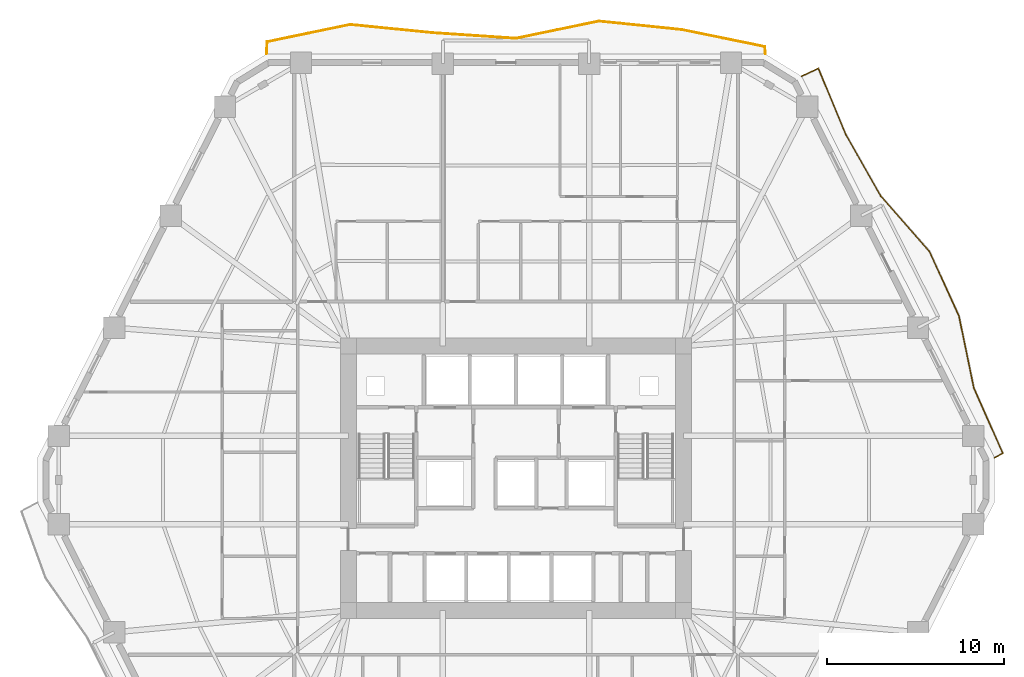
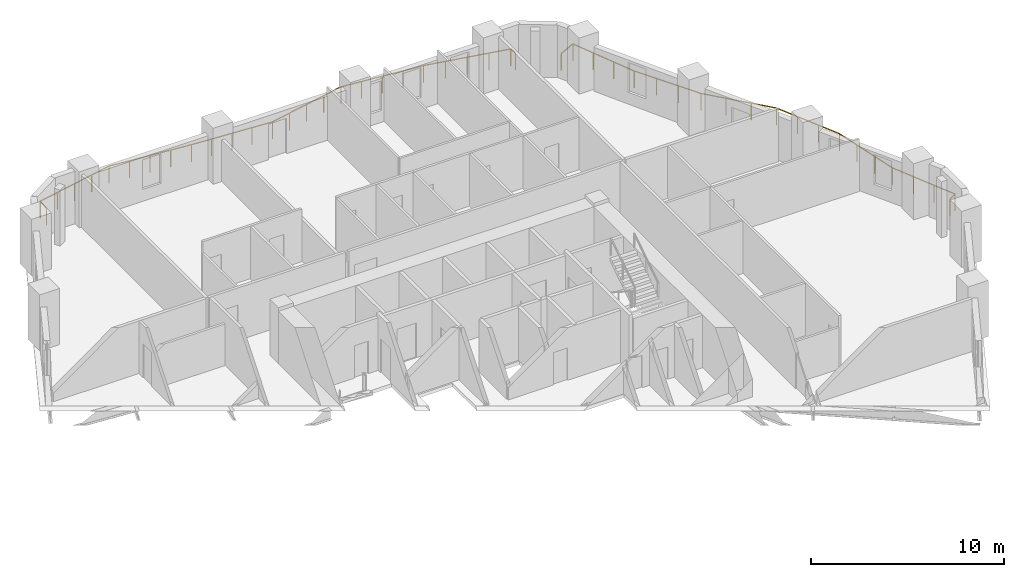
# One storey, part 11 of 11: 2 railings.
"""IFC4 building model written with IfcOpenShell, lengths in metres."""

import ifcopenshell
import ifcopenshell.guid

model = None  # the IFC model being written
_history = None  # IfcOwnerHistory: only IFC2X3 demands one
_inside = {}  # id of a spatial element -> (the spatial element, [elements in it])
_under = {}  # id of a project, library or spatial element -> (it, [spatial elements below it])
_declared = {}  # id of a project -> (the project, [libraries it declares])
_typed = {}  # id of a type object -> (the type object, [elements of that type])
_made_of = {}  # id of a material, layer set ... -> (it, [elements and type objects made of it])


def new_model(schema):
    """Start an empty IFC model of exactly this schema.

    Asked for "IFC4X3", IfcOpenShell would pick the latest addendum, in which some entities
    have other attributes; the version numbers below select the first issue.
    IFC2X3 requires an IfcOwnerHistory on every rooted entity: one is made here for all.
    """
    global model, _history
    if schema == "IFC4X3":
        model = ifcopenshell.file(schema_version=(4, 3, 0, 0))
    else:
        model = ifcopenshell.file(schema=schema)
    _inside.clear()
    _under.clear()
    _declared.clear()
    _typed.clear()
    _made_of.clear()
    _history = None
    if model.schema == "IFC2X3":
        org = make("IfcOrganization", Name="unknown")
        user = make(
            "IfcPersonAndOrganization",
            ThePerson=make("IfcPerson", FamilyName="unknown"),
            TheOrganization=org,
        )
        app = make(
            "IfcApplication",
            ApplicationDeveloper=org,
            Version="unknown",
            ApplicationFullName="unknown",
            ApplicationIdentifier="unknown",
        )
        _history = make(
            "IfcOwnerHistory",
            OwningUser=user,
            OwningApplication=app,
            ChangeAction="ADDED",
            CreationDate=0,
        )
    return model


def make(cls, **values):
    """One entity of the class cls with the attributes given. An attribute that is None is left unset."""
    return model.create_entity(
        cls, **{name: value for name, value in values.items() if value is not None}
    )


def rooted(cls, **values):
    """An entity with a GlobalId (a new one), such as an element, a storey or a relation."""
    return make(cls, GlobalId=ifcopenshell.guid.new(), OwnerHistory=_history, **values)


def si_unit(unit_type, name, prefix=None):
    """IfcSIUnit, for example si_unit("LENGTHUNIT", "METRE", prefix="MILLI")."""
    return make("IfcSIUnit", UnitType=unit_type, Prefix=prefix, Name=name)


def assignment(units):
    """IfcUnitAssignment: the units of a project."""
    return None if units is None else make("IfcUnitAssignment", Units=units)


def point(xyz):
    """IfcCartesianPoint."""
    return None if xyz is None else make("IfcCartesianPoint", Coordinates=xyz)


def direction(xyz):
    """IfcDirection."""
    return None if xyz is None else make("IfcDirection", DirectionRatios=xyz)


def frame(location, z_axis=None, x_axis=None):
    """IfcAxis2Placement3D, a coordinate frame: its origin and axes. An axis left out is left unset."""
    return make(
        "IfcAxis2Placement3D",
        Location=point(location),
        Axis=direction(z_axis),
        RefDirection=direction(x_axis),
    )


def frame_2d(location, x_axis=None):
    """IfcAxis2Placement2D, a coordinate frame in the plane: its origin and x axis."""
    return make(
        "IfcAxis2Placement2D", Location=point(location), RefDirection=direction(x_axis)
    )


def origin():
    """The frame at (0, 0, 0) with its axes left unset."""
    return frame((0.0, 0.0, 0.0))


def origin_2d():
    """The frame at (0, 0) in the plane with its x axis left unset."""
    return frame_2d((0.0, 0.0))


def place(relative_to, where):
    """IfcLocalPlacement: puts the frame where relative to a parent placement (None: the world)."""
    return make(
        "IfcLocalPlacement", PlacementRelTo=relative_to, RelativePlacement=where
    )


def context(
    kind, dimensions, precision=None, world=None, true_north=None, identifier=None
):
    """IfcGeometricRepresentationContext, for example the 3D "Model" context."""
    return make(
        "IfcGeometricRepresentationContext",
        ContextIdentifier=identifier,
        ContextType=kind,
        CoordinateSpaceDimension=dimensions,
        Precision=precision,
        WorldCoordinateSystem=world,
        TrueNorth=true_north,
    )


def subcontext(parent, identifier, kind, view, scale=None):
    """IfcGeometricRepresentationSubContext, for example "Body" below "Model"."""
    return make(
        "IfcGeometricRepresentationSubContext",
        ContextIdentifier=identifier,
        ContextType=kind,
        ParentContext=parent,
        TargetScale=scale,
        TargetView=view,
    )


def project(units=None, contexts=None):
    """IfcProject with its units and contexts."""
    return rooted(
        "IfcProject",
        Name="project",
        RepresentationContexts=contexts,
        UnitsInContext=assignment(units),
    )


def spatial(cls, under=None, at=None, **own):
    """A site, building, storey or space (cls), placed at a placement, below another one or the project."""
    s = rooted(cls, ObjectPlacement=at, **own)
    if under is not None:
        _under.setdefault(under.id(), (under, []))[1].append(s)
    return s


def profile(cls, at=None, kind="AREA", **sizes):
    """A parametric profile (cls). Its sizes go by their IFC names, for example OverallWidth=200.0."""
    return make(cls, ProfileType=kind, Position=at, **sizes)


def rectangle(**sizes):
    """IfcRectangleProfileDef."""
    return profile("IfcRectangleProfileDef", **sizes)


def extrude(swept, where, along, depth):
    """IfcExtrudedAreaSolid: the profile swept, set in the frame where, extruded along a direction by depth."""
    return make(
        "IfcExtrudedAreaSolid",
        SweptArea=swept,
        Position=where,
        ExtrudedDirection=direction(along),
        Depth=depth,
    )


def shape(context_of_items, identifier, shape_type, items):
    """IfcShapeRepresentation: the items that make up one representation, for example the "Body"."""
    return make(
        "IfcShapeRepresentation",
        ContextOfItems=context_of_items,
        RepresentationIdentifier=identifier,
        RepresentationType=shape_type,
        Items=items,
    )


def material(Name=None, Category=None):
    """IfcMaterial."""
    return make("IfcMaterial", Name=Name, Category=Category)


def made_of(thing, what):
    """Note that an element or type object is made of a material, layer set ...; save() writes the relation."""
    if what is not None:
        _made_of.setdefault(what.id(), (what, []))[1].append(thing)
    return thing


def type_object(cls, material=None, **own):
    """A type object (cls), such as IfcWallType, which elements share."""
    return made_of(rooted(cls, **own), material)


def element(
    cls,
    number,
    at=None,
    inside=None,
    cuts=None,
    type_object=None,
    material=None,
    context=None,
    identifier="Body",
    shape_type=None,
    held_by="IfcProductDefinitionShape",
    body=None,
    shapes=None,
    **own,
):
    """One element of the class cls, such as IfcWall. Its Tag is "e" and its number.

    at: its placement. inside: the storey or other place that contains it. cuts: it is an
    opening in that element (IfcRelVoidsElement). A single representation is given by context,
    identifier, shape_type and body (its items); several are given by shapes. held_by: the class
    of the entity that holds the representations. save() writes the other relations.
    """
    e = rooted(cls, Tag="e%d" % number, ObjectPlacement=at, **own)
    if body is not None:
        shapes = [shape(context, identifier, shape_type, body)]
    if shapes is not None:
        e.Representation = make(held_by, Representations=shapes)
    if inside is not None:
        _inside.setdefault(inside.id(), (inside, []))[1].append(e)
    if cuts is not None:
        rooted(
            "IfcRelVoidsElement", RelatingBuildingElement=cuts, RelatedOpeningElement=e
        )
    if type_object is not None:
        _typed.setdefault(type_object.id(), (type_object, []))[1].append(e)
    return made_of(e, material)


def aggregate(whole, parts):
    """IfcRelAggregates: a whole, such as a stair, and the parts it consists of."""
    return rooted("IfcRelAggregates", RelatingObject=whole, RelatedObjects=parts)


def save(model, path):
    """Write the relations noted so far, then the file.

    IfcRelAggregates (storeys below a building ...), IfcRelContainedInSpatialStructure (elements
    in a storey), IfcRelDefinesByType, IfcRelAssociatesMaterial and IfcRelDeclares: one each for
    every whole, place, type object, material and project.
    """
    for whole, parts in _under.values():
        aggregate(whole, parts)
    for where, things in _inside.values():
        rooted(
            "IfcRelContainedInSpatialStructure",
            RelatedElements=things,
            RelatingStructure=where,
        )
    for kind, things in _typed.values():
        rooted("IfcRelDefinesByType", RelatedObjects=things, RelatingType=kind)
    for what, things in _made_of.values():
        rooted("IfcRelAssociatesMaterial", RelatedObjects=things, RelatingMaterial=what)
    for by, libraries in _declared.values():
        rooted("IfcRelDeclares", RelatingContext=by, RelatedDefinitions=libraries)
    model.write(path)


model = new_model("IFC4")

# Units and contexts
model_context = context("Model", 3, precision=1e-05, world=origin(), true_north=direction((0.0, 1.0)))
body_context = subcontext(model_context, "Body", "Model", "MODEL_VIEW")
ifc_project = project(units=[si_unit("LENGTHUNIT", "METRE"), si_unit("AREAUNIT", "SQUARE_METRE"), si_unit("VOLUMEUNIT", "CUBIC_METRE"), si_unit("PLANEANGLEUNIT", "RADIAN"), si_unit("MASSUNIT", "GRAM", prefix="KILO")], contexts=[model_context])

# Site, building, storey
site_placement = place(None, origin())
site = spatial("IfcSite", under=ifc_project, at=site_placement, CompositionType="ELEMENT")
building_placement = place(site_placement, origin())
building = spatial("IfcBuilding", under=site, at=building_placement, Name="Cinnabar Lancet Tower", CompositionType="ELEMENT")
storey_placement = place(building_placement, frame((0.0, 0.0, 46.199951171875)))
storey = spatial("IfcBuildingStorey", under=building, at=storey_placement, Name="L11", CompositionType="ELEMENT", Elevation=46.199951171875)

# Railings
ifc_material = material(Name="Laminated safety glass and bronze stainless steel balustrade", Category="steel")
railing_type = type_object("IfcRailingType", Name="ENV-RLG-BAL-1100", PredefinedType="BALUSTRADE", material=ifc_material)
railing_1_placement = place(storey_placement, frame((59.367919921875, 27.049072265625, 0.0)))
element("IfcRailing", 1, at=railing_1_placement, inside=storey, type_object=railing_type, Name="L11 Face 3 Wave Balcony Balustrade", PredefinedType="BALUSTRADE", context=body_context, shape_type="SweptSolid", body=[
    extrude(rectangle(XDim=0.048095703125, YDim=0.048095703125, at=origin_2d()), frame((0.0, 0.0, 1.076171875), z_axis=(0.866906303058, 0.498471124258, 0.0), x_axis=(-0.498471124258, 0.866906303058, 0.0)), (0.0, 0.0, 1.0), 0.529541015625),
    extrude(rectangle(XDim=0.048095703125, YDim=0.048095703125, at=origin_2d()), frame((0.458984375, 0.263916015625, 1.076171875), z_axis=(-0.406048117384, 0.913851698236, 0.0), x_axis=(-0.913851698236, -0.406048117384, 0.0)), (0.0, 0.0, 1.0), 4.01171875),
    extrude(rectangle(XDim=0.048095703125, YDim=0.048095703125, at=origin_2d()), frame((-1.169921875, 3.929931640625, 1.076171875), z_axis=(-0.202662016744, 0.979248746218, 0.0), x_axis=(-0.979248746218, -0.202662016744, 0.0)), (0.0, 0.0, 1.0), 4.150146484375),
    extrude(rectangle(XDim=0.048095703125, YDim=0.048095703125, at=origin_2d()), frame((-2.010986328125, 7.993896484375, 1.076171875), z_axis=(-0.416105175735, 0.909316492057, 0.0), x_axis=(-0.909316492057, -0.416105175735, 0.0)), (0.0, 0.0, 1.0), 4.008544921875),
    extrude(rectangle(XDim=0.048095703125, YDim=0.048095703125, at=origin_2d()), frame((-3.678955078125, 11.638916015625, 1.076171875), z_axis=(-0.661248825036, 0.750166642412, 0.0), x_axis=(-0.750166642412, -0.661248825036, 0.0)), (0.0, 0.0, 1.0), 4.1376953125),
    extrude(rectangle(XDim=0.048095703125, YDim=0.048095703125, at=origin_2d()), frame((-6.4150390625, 14.742919921875, 1.076171875), z_axis=(-0.493324296403, 0.869845468217, 0.0), x_axis=(-0.869845468217, -0.493324296403, 0.0)), (0.0, 0.0, 1.0), 4.010986328125),
    extrude(rectangle(XDim=0.048095703125, YDim=0.048095703125, at=origin_2d()), frame((-8.393798828125, 18.23193359375, 1.076171875), z_axis=(-0.382108615759, 0.9241174199, 0.0), x_axis=(-0.9241174199, -0.382108615759, 0.0)), (0.0, 0.0, 1.0), 4.020263671875),
    extrude(rectangle(XDim=0.048095703125, YDim=0.048095703125, at=origin_2d()), frame((-9.929931640625, 21.947021484375, 1.076171875), z_axis=(-0.905539973217, -0.424260953784, 0.0), x_axis=(0.424260953784, -0.905539973217, 0.0)), (0.0, 0.0, 1.0), 1.049072265625),
    extrude(rectangle(XDim=0.0419921875, YDim=0.0419921875, at=origin_2d()), origin(), (0.0, 0.0, 1.0), 1.052001953125),
    extrude(rectangle(XDim=0.0419921875, YDim=0.0419921875, at=origin_2d()), frame((0.458984375, 0.263916015625, 0.0)), (0.0, 0.0, 1.0), 1.052001953125),
    extrude(rectangle(XDim=0.0419921875, YDim=0.0419921875, at=origin_2d()), frame((-0.083984375, 1.48583984375, 0.0)), (0.0, 0.0, 1.0), 1.052001953125),
    extrude(rectangle(XDim=0.0419921875, YDim=0.0419921875, at=origin_2d()), frame((-0.626953125, 2.7080078125, 0.0)), (0.0, 0.0, 1.0), 1.052001953125),
    extrude(rectangle(XDim=0.0419921875, YDim=0.0419921875, at=origin_2d()), frame((-1.169921875, 3.929931640625, 0.0)), (0.0, 0.0, 1.0), 1.052001953125),
    extrude(rectangle(XDim=0.0419921875, YDim=0.0419921875, at=origin_2d()), frame((-1.4501953125, 5.28466796875, 0.0)), (0.0, 0.0, 1.0), 1.052001953125),
    extrude(rectangle(XDim=0.0419921875, YDim=0.0419921875, at=origin_2d()), frame((-1.730712890625, 6.63916015625, 0.0)), (0.0, 0.0, 1.0), 1.052001953125),
    extrude(rectangle(XDim=0.0419921875, YDim=0.0419921875, at=origin_2d()), frame((-2.010986328125, 7.993896484375, 0.0)), (0.0, 0.0, 1.0), 1.052001953125),
    extrude(rectangle(XDim=0.0419921875, YDim=0.0419921875, at=origin_2d()), frame((-2.56689453125, 9.208984375, 0.0)), (0.0, 0.0, 1.0), 1.052001953125),
    extrude(rectangle(XDim=0.0419921875, YDim=0.0419921875, at=origin_2d()), frame((-3.123046875, 10.423828125, 0.0)), (0.0, 0.0, 1.0), 1.052001953125),
    extrude(rectangle(XDim=0.0419921875, YDim=0.0419921875, at=origin_2d()), frame((-3.678955078125, 11.638916015625, 0.0)), (0.0, 0.0, 1.0), 1.052001953125),
    extrude(rectangle(XDim=0.0419921875, YDim=0.0419921875, at=origin_2d()), frame((-4.591064453125, 12.673583984375, 0.0)), (0.0, 0.0, 1.0), 1.052001953125),
    extrude(rectangle(XDim=0.0419921875, YDim=0.0419921875, at=origin_2d()), frame((-5.5029296875, 13.708251953125, 0.0)), (0.0, 0.0, 1.0), 1.052001953125),
    extrude(rectangle(XDim=0.0419921875, YDim=0.0419921875, at=origin_2d()), frame((-6.4150390625, 14.742919921875, 0.0)), (0.0, 0.0, 1.0), 1.052001953125),
    extrude(rectangle(XDim=0.0419921875, YDim=0.0419921875, at=origin_2d()), frame((-7.07470703125, 15.906005859375, 0.0)), (0.0, 0.0, 1.0), 1.052001953125),
    extrude(rectangle(XDim=0.0419921875, YDim=0.0419921875, at=origin_2d()), frame((-7.734130859375, 17.06884765625, 0.0)), (0.0, 0.0, 1.0), 1.052001953125),
    extrude(rectangle(XDim=0.0419921875, YDim=0.0419921875, at=origin_2d()), frame((-8.393798828125, 18.23193359375, 0.0)), (0.0, 0.0, 1.0), 1.052001953125),
    extrude(rectangle(XDim=0.0419921875, YDim=0.0419921875, at=origin_2d()), frame((-8.90576171875, 19.47021484375, 0.0)), (0.0, 0.0, 1.0), 1.052001953125),
    extrude(rectangle(XDim=0.0419921875, YDim=0.0419921875, at=origin_2d()), frame((-9.41796875, 20.708740234375, 0.0)), (0.0, 0.0, 1.0), 1.052001953125),
    extrude(rectangle(XDim=0.0419921875, YDim=0.0419921875, at=origin_2d()), frame((-9.929931640625, 21.947021484375, 0.0)), (0.0, 0.0, 1.0), 1.052001953125),
    extrude(rectangle(XDim=0.0419921875, YDim=0.0419921875, at=origin_2d()), frame((-10.8798828125, 21.501953125, 0.0)), (0.0, 0.0, 1.0), 1.052001953125),
])
railing_2_placement = place(storey_placement, frame((46.4560546875, 49.800048828125, 0.0)))
element("IfcRailing", 2, at=railing_2_placement, inside=storey, type_object=railing_type, Name="L11 Face 4 Wave Balcony Balustrade", PredefinedType="BALUSTRADE", context=body_context, shape_type="SweptSolid", body=[
    extrude(rectangle(XDim=0.048095703125, YDim=0.048095703125, at=origin_2d()), frame((0.0, 0.0, 1.076171875), z_axis=(-0.084403621926, 0.996431647734, 0.0), x_axis=(-0.996431647734, -0.084403621926, 0.0)), (0.0, 0.0, 1.0), 0.41650390625),
    extrude(rectangle(XDim=0.048095703125, YDim=0.048095703125, at=origin_2d()), frame((-0.03515625, 0.4150390625, 1.076171875), z_axis=(-0.979672895898, 0.200601637689, 0.0), x_axis=(-0.200601637689, -0.979672895898, 0.0)), (0.0, 0.0, 1.0), 4.770751953125),
    extrude(rectangle(XDim=0.048095703125, YDim=0.048095703125, at=origin_2d()), frame((-4.708984375, 1.3720703125, 1.076171875), z_axis=(-0.994768719862, 0.102152797245, 0.0), x_axis=(-0.102152797245, -0.994768719862, 0.0)), (0.0, 0.0, 1.0), 4.69873046875),
    extrude(rectangle(XDim=0.048095703125, YDim=0.048095703125, at=origin_2d()), frame((-9.383056640625, 1.85205078125, 1.076171875), z_axis=(-0.979171079114, -0.203036937099, 0.0), x_axis=(0.203036937099, -0.979171079114, 0.0)), (0.0, 0.0, 1.0), 4.7724609375),
    extrude(rectangle(XDim=0.048095703125, YDim=0.048095703125, at=origin_2d()), frame((-14.05615234375, 0.883056640625, 1.076171875), z_axis=(-0.997777306642, 0.066636674221, 0.0), x_axis=(-0.066636674221, -0.997777306642, 0.0)), (0.0, 0.0, 1.0), 4.682373046875),
    extrude(rectangle(XDim=0.048095703125, YDim=0.048095703125, at=origin_2d()), frame((-18.72802734375, 1.195068359375, 1.076171875), z_axis=(-0.99509311407, 0.098942884181, 0.0), x_axis=(-0.098942884181, -0.99509311407, 0.0)), (0.0, 0.0, 1.0), 4.697998046875),
    extrude(rectangle(XDim=0.048095703125, YDim=0.048095703125, at=origin_2d()), frame((-23.403076171875, 1.659912109375, 1.076171875), z_axis=(-0.979138829318, -0.203192403702, 0.0), x_axis=(0.203192403702, -0.979138829318, 0.0)), (0.0, 0.0, 1.0), 4.773681640625),
    extrude(rectangle(XDim=0.048095703125, YDim=0.048095703125, at=origin_2d()), frame((-28.0771484375, 0.68994140625, 1.076171875), z_axis=(-0.050536898027, -0.998722194576, 0.0), x_axis=(0.998722194576, -0.050536898027, 0.0)), (0.0, 0.0, 1.0), 0.69091796875),
    extrude(rectangle(XDim=0.0419921875, YDim=0.0419921875, at=origin_2d()), origin(), (0.0, 0.0, 1.0), 1.052001953125),
    extrude(rectangle(XDim=0.0419921875, YDim=0.0419921875, at=origin_2d()), frame((-0.03515625, 0.4150390625, 0.0)), (0.0, 0.0, 1.0), 1.052001953125),
    extrude(rectangle(XDim=0.0419921875, YDim=0.0419921875, at=origin_2d()), frame((-1.20361328125, 0.654296875, 0.0)), (0.0, 0.0, 1.0), 1.052001953125),
    extrude(rectangle(XDim=0.0419921875, YDim=0.0419921875, at=origin_2d()), frame((-2.3720703125, 0.8935546875, 0.0)), (0.0, 0.0, 1.0), 1.052001953125),
    extrude(rectangle(XDim=0.0419921875, YDim=0.0419921875, at=origin_2d()), frame((-3.54052734375, 1.1328125, 0.0)), (0.0, 0.0, 1.0), 1.052001953125),
    extrude(rectangle(XDim=0.0419921875, YDim=0.0419921875, at=origin_2d()), frame((-4.708984375, 1.3720703125, 0.0)), (0.0, 0.0, 1.0), 1.052001953125),
    extrude(rectangle(XDim=0.0419921875, YDim=0.0419921875, at=origin_2d()), frame((-5.87744140625, 1.4921875, 0.0)), (0.0, 0.0, 1.0), 1.052001953125),
    extrude(rectangle(XDim=0.0419921875, YDim=0.0419921875, at=origin_2d()), frame((-7.0458984375, 1.612060546875, 0.0)), (0.0, 0.0, 1.0), 1.052001953125),
    extrude(rectangle(XDim=0.0419921875, YDim=0.0419921875, at=origin_2d()), frame((-8.214599609375, 1.73193359375, 0.0)), (0.0, 0.0, 1.0), 1.052001953125),
    extrude(rectangle(XDim=0.0419921875, YDim=0.0419921875, at=origin_2d()), frame((-9.383056640625, 1.85205078125, 0.0)), (0.0, 0.0, 1.0), 1.052001953125),
    extrude(rectangle(XDim=0.0419921875, YDim=0.0419921875, at=origin_2d()), frame((-10.55126953125, 1.60986328125, 0.0)), (0.0, 0.0, 1.0), 1.052001953125),
    extrude(rectangle(XDim=0.0419921875, YDim=0.0419921875, at=origin_2d()), frame((-11.7197265625, 1.36767578125, 0.0)), (0.0, 0.0, 1.0), 1.052001953125),
    extrude(rectangle(XDim=0.0419921875, YDim=0.0419921875, at=origin_2d()), frame((-12.887939453125, 1.125244140625, 0.0)), (0.0, 0.0, 1.0), 1.052001953125),
    extrude(rectangle(XDim=0.0419921875, YDim=0.0419921875, at=origin_2d()), frame((-14.05615234375, 0.883056640625, 0.0)), (0.0, 0.0, 1.0), 1.052001953125),
    extrude(rectangle(XDim=0.0419921875, YDim=0.0419921875, at=origin_2d()), frame((-15.22412109375, 0.9609375, 0.0)), (0.0, 0.0, 1.0), 1.052001953125),
    extrude(rectangle(XDim=0.0419921875, YDim=0.0419921875, at=origin_2d()), frame((-16.39208984375, 1.0390625, 0.0)), (0.0, 0.0, 1.0), 1.052001953125),
    extrude(rectangle(XDim=0.0419921875, YDim=0.0419921875, at=origin_2d()), frame((-17.56005859375, 1.1171875, 0.0)), (0.0, 0.0, 1.0), 1.052001953125),
    extrude(rectangle(XDim=0.0419921875, YDim=0.0419921875, at=origin_2d()), frame((-18.72802734375, 1.195068359375, 0.0)), (0.0, 0.0, 1.0), 1.052001953125),
    extrude(rectangle(XDim=0.0419921875, YDim=0.0419921875, at=origin_2d()), frame((-19.896728515625, 1.311279296875, 0.0)), (0.0, 0.0, 1.0), 1.052001953125),
    extrude(rectangle(XDim=0.0419921875, YDim=0.0419921875, at=origin_2d()), frame((-21.0654296875, 1.427490234375, 0.0)), (0.0, 0.0, 1.0), 1.052001953125),
    extrude(rectangle(XDim=0.0419921875, YDim=0.0419921875, at=origin_2d()), frame((-22.234375, 1.543701171875, 0.0)), (0.0, 0.0, 1.0), 1.052001953125),
    extrude(rectangle(XDim=0.0419921875, YDim=0.0419921875, at=origin_2d()), frame((-23.403076171875, 1.659912109375, 0.0)), (0.0, 0.0, 1.0), 1.052001953125),
    extrude(rectangle(XDim=0.0419921875, YDim=0.0419921875, at=origin_2d()), frame((-24.571533203125, 1.41748046875, 0.0)), (0.0, 0.0, 1.0), 1.052001953125),
    extrude(rectangle(XDim=0.0419921875, YDim=0.0419921875, at=origin_2d()), frame((-25.740234375, 1.1748046875, 0.0)), (0.0, 0.0, 1.0), 1.052001953125),
    extrude(rectangle(XDim=0.0419921875, YDim=0.0419921875, at=origin_2d()), frame((-26.90869140625, 0.932373046875, 0.0)), (0.0, 0.0, 1.0), 1.052001953125),
    extrude(rectangle(XDim=0.0419921875, YDim=0.0419921875, at=origin_2d()), frame((-28.0771484375, 0.68994140625, 0.0)), (0.0, 0.0, 1.0), 1.052001953125),
    extrude(rectangle(XDim=0.0419921875, YDim=0.0419921875, at=origin_2d()), frame((-28.112060546875, 0.0, 0.0)), (0.0, 0.0, 1.0), 1.052001953125),
])

save(model, "model.ifc")
